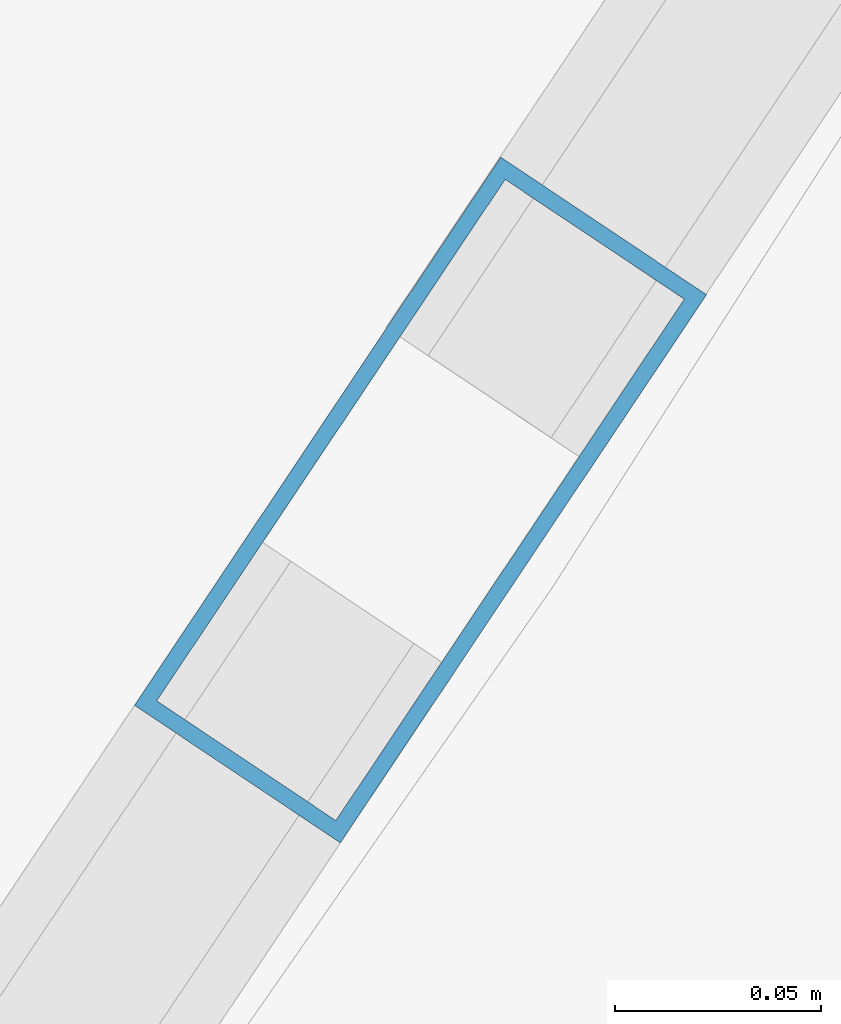
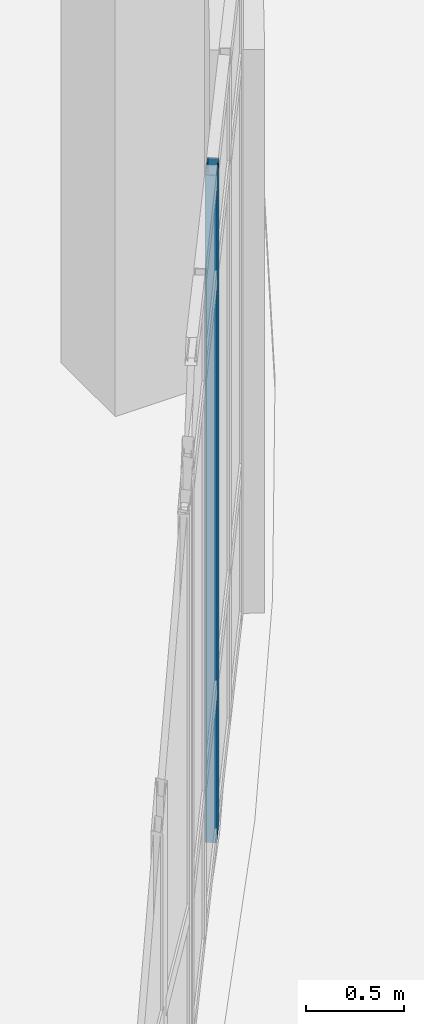
# One storey, part 33 of 134: 1 member, 1 element without a shape of its own.
"""IFC4 building model written with IfcOpenShell, lengths in metres."""

from ifc_helpers import new_model, si_unit, direction, frame, origin, origin_2d, place, context, subcontext, project, spatial, hollow_rectangle, extrude, material, material_profile, profile_set, type_object, element, aggregate, save


model = new_model("IFC4")

# Units and contexts
model_context = context("Model", 3, precision=1e-05, world=origin(), true_north=direction((0.0, 1.0)))
body_context = subcontext(model_context, "Body", "Model", "MODEL_VIEW")
ifc_project = project(units=[si_unit("LENGTHUNIT", "METRE"), si_unit("AREAUNIT", "SQUARE_METRE"), si_unit("VOLUMEUNIT", "CUBIC_METRE"), si_unit("PLANEANGLEUNIT", "RADIAN"), si_unit("MASSUNIT", "GRAM", prefix="KILO")], contexts=[model_context])

# Site, building, storey
site_placement = place(None, origin())
site = spatial("IfcSite", under=ifc_project, at=site_placement, CompositionType="ELEMENT")
building_placement = place(site_placement, origin())
building = spatial("IfcBuilding", under=site, at=building_placement, Name="Kalluvel Institute of Natural Sciences", CompositionType="ELEMENT")
storey_placement = place(building_placement, frame((0.0, 0.0, 5.39990234375)))
storey = spatial("IfcBuildingStorey", under=building, at=storey_placement, Name="L01", CompositionType="ELEMENT", Elevation=5.39990234375)

# Curtain wall, member
ifc_material = material(Name="Aluminium AW-6063 T6", Category="aluminium")
curtain_wall_type = type_object("IfcCurtainWallType", Name="CW-ATR-ARC", PredefinedType="USERDEFINED", material=ifc_material)
curtain_wall_placement = place(storey_placement, origin())
curtain_wall = element("IfcCurtainWall", 1, at=curtain_wall_placement, inside=storey, type_object=curtain_wall_type, Name="L01 Gothic lancet curtain wall CWA-L01-X760-Y734", ObjectType="UNITISED LANCET FACADE", PredefinedType="USERDEFINED")
ifc_material_profile = material_profile(ifc_material, hollow_rectangle(XDim=0.06005859375, YDim=0.159912109375, WallThickness=0.00390625, at=origin_2d()), Name="CWM 60x160")
ifc_profile_set = profile_set([ifc_material_profile], Name="Aluminium AW-6063 T6")
member_type = type_object("IfcMemberType", Name="CWM-60x160", PredefinedType="MULLION", material=ifc_profile_set)
member_placement = place(storey_placement, frame((77.099853515625, 75.070556640625, 0.0), z_axis=(0.0, 0.0, 1.0), x_axis=(-0.831469300908, 0.555570699054, 0.0)))
member = element("IfcMember", 2, at=member_placement, type_object=member_type, Name="CW-05 mullion 3", PredefinedType="MULLION", context=body_context, shape_type="SweptSolid", body=[
    extrude(hollow_rectangle(XDim=0.06005859375, YDim=0.159912109375, WallThickness=0.00390625, at=origin_2d()), origin(), (0.0, 0.0, 1.0), 4.150146484375),
])
aggregate(curtain_wall, [member])

save(model, "model.ifc")
